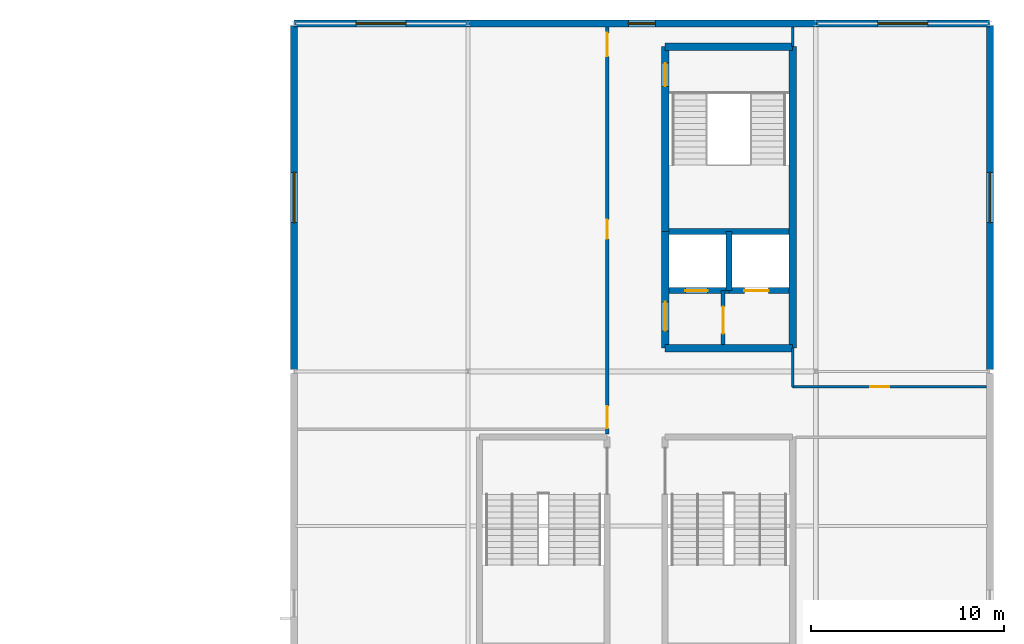
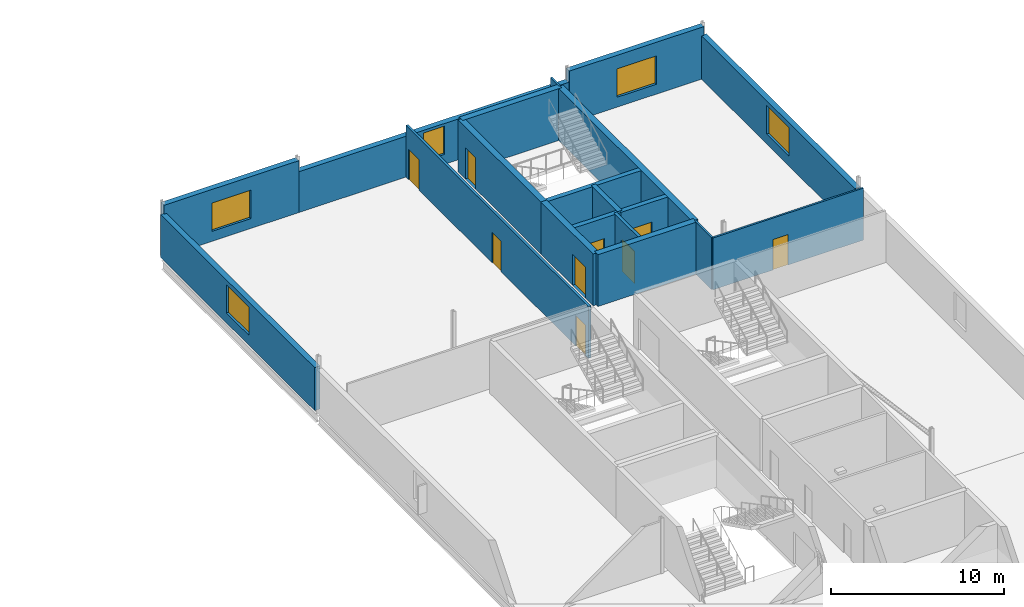
# One storey, part 24 of 35: 19 walls, 9 doors, 5 windows, 14 openings.
"""IFC4 building model written with IfcOpenShell, lengths in metres."""

from ifc_helpers import new_model, si_unit, direction, frame, frame_2d, origin, place, context, subcontext, project, spatial, rectangle, extrude, material, layer, layer_set, type_object, element, fill, save


model = new_model("IFC4")

# Units and contexts
model_context = context("Model", 3, precision=1e-05, world=origin(), true_north=direction((0.0, 1.0)))
body_context = subcontext(model_context, "Body", "Model", "MODEL_VIEW")
ifc_project = project(units=[si_unit("LENGTHUNIT", "METRE"), si_unit("AREAUNIT", "SQUARE_METRE"), si_unit("VOLUMEUNIT", "CUBIC_METRE"), si_unit("PLANEANGLEUNIT", "RADIAN"), si_unit("MASSUNIT", "GRAM", prefix="KILO")], contexts=[model_context])

# Site, building, storey
site_placement = place(None, origin())
site = spatial("IfcSite", under=ifc_project, at=site_placement, CompositionType="ELEMENT")
building_placement = place(site_placement, origin())
building = spatial("IfcBuilding", under=site, at=building_placement, Name="Kisiwana Market Hall", CompositionType="ELEMENT")
storey_placement = place(building_placement, frame((0.0, 0.0, 61.800048828125)))
storey = spatial("IfcBuildingStorey", under=building, at=storey_placement, Name="L14", CompositionType="ELEMENT", Elevation=61.800048828125)

# Wall, opening, door
ifc_material_1 = material(Name="Masonry blockwork", Category="masonry")
ifc_layer_1 = layer(ifc_material_1, 0.199951171875, Name="Plastered fire compartment block wall")
ifc_layer_set_1 = layer_set([ifc_layer_1], Name="WL-COMP-200")
wall_type_1 = type_object("IfcWallType", Name="WL-COMP-200", PredefinedType="PARTITIONING", material=ifc_layer_set_1)
wall_1_placement = place(storey_placement, frame((184.199951171875, 85.39990234375, 0.0), z_axis=(0.0, 0.0, 1.0), x_axis=(0.0, 1.0, 0.0)))
wall_1 = element("IfcWall", 1, at=wall_1_placement, inside=storey, type_object=wall_type_1, Name="Core E1 firefighting lobby wall W-3314", PredefinedType="PARTITIONING", context=body_context, shape_type="SweptSolid", body=[
    extrude(rectangle(XDim=2.780029296875, YDim=0.199951171875, at=frame_2d((1.39013671875, 0.0))), origin(), (0.0, 0.0, 1.0), 3.655029296875),
])
opening_1_placement = place(wall_1_placement, frame((0.550048828125, 0.0, 0.0)))
opening_1 = element("IfcOpeningElement", 2, at=opening_1_placement, cuts=wall_1, Name="Opening DR-L14-012", PredefinedType="OPENING", context=body_context, shape_type="SweptSolid", body=[
    extrude(rectangle(XDim=1.39990234375, YDim=2.25, at=frame_2d((0.699951171875, 1.125))), frame((0.0, 0.11181640625, 0.0), z_axis=(0.0, -1.0, 0.0), x_axis=(1.0, 0.0, 0.0)), (0.0, 0.0, 1.0), 0.223876953125),
])
ifc_material_2 = material(Name="Steel S275", Category="steel")
door_type_1 = type_object("IfcDoorType", Name="DR-FFLOB-FD120-1400", OperationType="DOUBLE_DOOR_SINGLE_SWING", PredefinedType="DOOR", material=ifc_material_2)
door_1_placement = place(opening_1_placement, origin())
door_1 = element("IfcDoor", 3, at=door_1_placement, inside=storey, type_object=door_type_1, Name="Firefighting Lift Lobby E1 Door (L14)", OperationType="DOUBLE_DOOR_SINGLE_SWING", OverallHeight=2.25, OverallWidth=1.39990234375, PredefinedType="DOOR", context=body_context, shape_type="SweptSolid", body=[
    extrude(rectangle(XDim=1.39990234375, YDim=2.25, at=frame_2d((0.699951171875, 1.125))), frame((0.0, 0.02490234375, 0.0), z_axis=(0.0, -1.0, 0.0), x_axis=(1.0, 0.0, 0.0)), (0.0, 0.0, 1.0), 0.050048828125),
])
fill(opening_1, door_1)

# Walls
ifc_material_3 = material(Name="Concrete C40/50", Category="concrete")
ifc_layer_2 = layer(ifc_material_3, 0.320068359375, Name="Reinforced concrete shaft wall")
ifc_layer_set_2 = layer_set([ifc_layer_2], Name="WL-CORE-320")
wall_type_2 = type_object("IfcWallType", Name="WL-CORE-320", PredefinedType="SHEAR", material=ifc_layer_set_2)
wall_2_placement = place(storey_placement, frame((181.39990234375, 91.239990234375, 0.0), z_axis=(0.0, 0.0, 1.0), x_axis=(1.0, 0.0, 0.0)))
element("IfcWall", 4, at=wall_2_placement, inside=storey, type_object=wall_type_2, Name="Core E1 shaft back shear wall W-3231", PredefinedType="SHEAR", context=body_context, shape_type="SweptSolid", body=[
    extrude(rectangle(XDim=6.2001953125, YDim=0.320068359375, at=frame_2d((3.10009765625, 0.0))), origin(), (0.0, 0.0, 1.0), 3.655029296875),
])
wall_3_placement = place(storey_placement, frame((184.5, 88.179931640625, 0.0), z_axis=(0.0, 0.0, 1.0), x_axis=(0.0, 1.0, 0.0)))
element("IfcWall", 5, at=wall_3_placement, inside=storey, type_object=wall_type_2, Name="Core E1 inter-shaft shear wall W-3232", PredefinedType="SHEAR", context=body_context, shape_type="SweptSolid", body=[
    extrude(rectangle(XDim=3.06005859375, YDim=0.320068359375, at=frame_2d((1.530029296875, 0.0))), origin(), (0.0, 0.0, 1.0), 3.655029296875),
])

# Wall, opening, door
wall_4_placement = place(storey_placement, frame((181.39990234375, 88.179931640625, 0.0), z_axis=(0.0, 0.0, 1.0), x_axis=(1.0, 0.0, 0.0)))
wall_4 = element("IfcWall", 6, at=wall_4_placement, inside=storey, type_object=wall_type_2, Name="Core E1 west lift front wall W-3233", PredefinedType="SHEAR", context=body_context, shape_type="SweptSolid", body=[
    extrude(rectangle(XDim=3.10009765625, YDim=0.320068359375, at=frame_2d((1.550048828125, 0.0))), origin(), (0.0, 0.0, 1.0), 3.655029296875),
])
opening_2_placement = place(wall_4_placement, frame((0.85009765625, 0.0, 0.0)))
opening_2 = element("IfcOpeningElement", 7, at=opening_2_placement, cuts=wall_4, Name="Opening LD-L14-007", PredefinedType="OPENING", context=body_context, shape_type="SweptSolid", body=[
    extrude(rectangle(XDim=1.14990234375, YDim=2.199951171875, at=frame_2d((0.574951171875, 1.10009765625))), frame((0.0, 0.171875, 0.0), z_axis=(0.0, -1.0, 0.0), x_axis=(1.0, 0.0, 0.0)), (0.0, 0.0, 1.0), 0.343994140625),
])
ifc_material_4 = material(Name="Steel S275", Category="steel")
door_type_2 = type_object("IfcDoorType", Name="DR-LIFT-PAX-1150", OperationType="DOUBLE_DOOR_SLIDING", PredefinedType="DOOR", material=ifc_material_4)
door_2_placement = place(opening_2_placement, origin())
door_2 = element("IfcDoor", 8, at=door_2_placement, inside=storey, type_object=door_type_2, Name="Lift Landing Door LP-04 (L14)", OperationType="DOUBLE_DOOR_SLIDING", OverallHeight=2.199951171875, OverallWidth=1.14990234375, PredefinedType="DOOR", context=body_context, shape_type="SweptSolid", body=[
    extrude(rectangle(XDim=1.14990234375, YDim=2.199951171875, at=frame_2d((0.574951171875, 1.10009765625))), frame((0.0, 0.02490234375, 0.0), z_axis=(0.0, -1.0, 0.0), x_axis=(1.0, 0.0, 0.0)), (0.0, 0.0, 1.0), 0.050048828125),
])
fill(opening_2, door_2)

wall_5_placement = place(storey_placement, frame((184.5, 88.179931640625, 0.0), z_axis=(0.0, 0.0, 1.0), x_axis=(1.0, 0.0, 0.0)))
wall_5 = element("IfcWall", 9, at=wall_5_placement, inside=storey, type_object=wall_type_2, Name="Core E1 east lift front wall W-3234", PredefinedType="SHEAR", context=body_context, shape_type="SweptSolid", body=[
    extrude(rectangle(XDim=3.10009765625, YDim=0.320068359375, at=frame_2d((1.550048828125, 0.0))), origin(), (0.0, 0.0, 1.0), 3.655029296875),
])
opening_3_placement = place(wall_5_placement, frame((0.800048828125, 0.0, 0.0)))
opening_3 = element("IfcOpeningElement", 10, at=opening_3_placement, cuts=wall_5, Name="Opening LD-L14-008", PredefinedType="OPENING", context=body_context, shape_type="SweptSolid", body=[
    extrude(rectangle(XDim=1.25, YDim=2.25, at=frame_2d((0.625, 1.125))), frame((0.0, 0.171875, 0.0), z_axis=(0.0, -1.0, 0.0), x_axis=(1.0, 0.0, 0.0)), (0.0, 0.0, 1.0), 0.343994140625),
])
ifc_material_5 = material(Name="Steel S275", Category="steel")
door_type_3 = type_object("IfcDoorType", Name="DR-LIFT-FFL-1250", OperationType="DOUBLE_DOOR_SLIDING", PredefinedType="DOOR", material=ifc_material_5)
door_3_placement = place(opening_3_placement, origin())
door_3 = element("IfcDoor", 11, at=door_3_placement, inside=storey, type_object=door_type_3, Name="Lift Landing Door FFL-04 (L14)", OperationType="DOUBLE_DOOR_SLIDING", OverallHeight=2.25, OverallWidth=1.25, PredefinedType="DOOR", context=body_context, shape_type="SweptSolid", body=[
    extrude(rectangle(XDim=1.25, YDim=2.25, at=frame_2d((0.625, 1.125))), frame((0.0, 0.02490234375, 0.0), z_axis=(0.0, -1.0, 0.0), x_axis=(1.0, 0.0, 0.0)), (0.0, 0.0, 1.0), 0.050048828125),
])
fill(opening_3, door_3)

# Walls
ifc_material_6 = material(Name="Concrete C40/50", Category="concrete")
ifc_layer_3 = layer(ifc_material_6, 0.39990234375, Name="Reinforced concrete core wall")
ifc_layer_set_3 = layer_set([ifc_layer_3], Name="WL-CORE-400")
wall_type_3 = type_object("IfcWallType", Name="WL-CORE-400", PredefinedType="SHEAR", material=ifc_layer_set_3)
for number, where, z_axis, x_axis, name in (
    (12, (181.199951171875, 85.199951171875, 0.0), (0.0, 0.0, 1.0), (1.0, 0.0, 0.0), "Core E1 south shear wall W-3226"),
    (13, (181.199951171875, 100.800048828125, 0.0), (0.0, 0.0, 1.0), (1.0, 0.0, 0.0), "Core E1 north shear wall W-3227"),
):
    element("IfcWall", number, at=place(storey_placement, frame(where, z_axis=z_axis, x_axis=x_axis)), inside=storey, type_object=wall_type_3, Name=name, PredefinedType="SHEAR", context=body_context, shape_type="SweptSolid", body=[
        extrude(rectangle(XDim=6.60009765625, YDim=0.39990234375, at=frame_2d((3.300048828125, 0.0))), origin(), (0.0, 0.0, 1.0), 3.655029296875),
    ])
wall_6_placement = place(storey_placement, frame((187.800048828125, 85.199951171875, 0.0), z_axis=(0.0, 0.0, 1.0), x_axis=(0.0, 1.0, 0.0)))
element("IfcWall", 14, at=wall_6_placement, inside=storey, type_object=wall_type_3, Name="Core E1 outer shear wall W-3228", PredefinedType="SHEAR", context=body_context, shape_type="SweptSolid", body=[
    extrude(rectangle(XDim=15.60009765625, YDim=0.39990234375, at=frame_2d((7.800048828125, 0.0))), origin(), (0.0, 0.0, 1.0), 3.655029296875),
])

# Wall, opening, door
wall_7_placement = place(storey_placement, frame((181.199951171875, 85.199951171875, 0.0), z_axis=(0.0, 0.0, 1.0), x_axis=(0.0, 1.0, 0.0)))
wall_7 = element("IfcWall", 15, at=wall_7_placement, inside=storey, type_object=wall_type_3, Name="Core E1 lobby corridor shear wall W-3229", PredefinedType="SHEAR", context=body_context, shape_type="SweptSolid", body=[
    extrude(rectangle(XDim=6.0400390625, YDim=0.39990234375, at=frame_2d((3.02001953125, 0.0))), origin(), (0.0, 0.0, 1.0), 3.655029296875),
])
opening_4_placement = place(wall_7_placement, frame((0.89990234375, 0.0, 0.0)))
opening_4 = element("IfcOpeningElement", 16, at=opening_4_placement, cuts=wall_7, Name="Opening DR-L14-010", PredefinedType="OPENING", context=body_context, shape_type="SweptSolid", body=[
    extrude(rectangle(XDim=1.5, YDim=2.199951171875, at=frame_2d((0.75, 1.10009765625))), frame((0.0, 0.2119140625, 0.0), z_axis=(0.0, -1.0, 0.0), x_axis=(1.0, 0.0, 0.0)), (0.0, 0.0, 1.0), 0.423828125),
])
ifc_material_7 = material(Name="Steel S275", Category="steel")
door_type_4 = type_object("IfcDoorType", Name="DR-CORR-FD60-1500", OperationType="DOUBLE_DOOR_SINGLE_SWING", PredefinedType="DOOR", material=ifc_material_7)
door_4_placement = place(opening_4_placement, origin())
door_4 = element("IfcDoor", 17, at=door_4_placement, inside=storey, type_object=door_type_4, Name="Passenger Lift Lobby E1 Smoke Door (L14)", OperationType="DOUBLE_DOOR_SINGLE_SWING", OverallHeight=2.199951171875, OverallWidth=1.5, PredefinedType="DOOR", context=body_context, shape_type="SweptSolid", body=[
    extrude(rectangle(XDim=1.5, YDim=2.199951171875, at=frame_2d((0.75, 1.10009765625))), frame((0.0, 0.02490234375, 0.0), z_axis=(0.0, -1.0, 0.0), x_axis=(1.0, 0.0, 0.0)), (0.0, 0.0, 1.0), 0.050048828125),
])
fill(opening_4, door_4)

wall_8_placement = place(storey_placement, frame((181.199951171875, 91.239990234375, 0.0), z_axis=(0.0, 0.0, 1.0), x_axis=(0.0, 1.0, 0.0)))
wall_8 = element("IfcWall", 18, at=wall_8_placement, inside=storey, type_object=wall_type_3, Name="Core E1 stair corridor shear wall W-3230", PredefinedType="SHEAR", context=body_context, shape_type="SweptSolid", body=[
    extrude(rectangle(XDim=9.56005859375, YDim=0.39990234375, at=frame_2d((4.780029296875, 0.0))), origin(), (0.0, 0.0, 1.0), 3.655029296875),
])
opening_5_placement = place(wall_8_placement, frame((7.510009765625, 0.0, 0.0)))
opening_5 = element("IfcOpeningElement", 19, at=opening_5_placement, cuts=wall_8, Name="Opening DR-L14-011", PredefinedType="OPENING", context=body_context, shape_type="SweptSolid", body=[
    extrude(rectangle(XDim=1.199951171875, YDim=2.199951171875, at=frame_2d((0.60009765625, 1.10009765625))), frame((0.0, 0.2119140625, 0.0), z_axis=(0.0, -1.0, 0.0), x_axis=(1.0, 0.0, 0.0)), (0.0, 0.0, 1.0), 0.423828125),
])
ifc_material_8 = material(Name="Steel S275", Category="steel")
door_type_5 = type_object("IfcDoorType", Name="DR-STAIR-FD120-1200", OperationType="NOTDEFINED", PredefinedType="DOOR", material=ifc_material_8)
door_5_placement = place(opening_5_placement, frame((1.199951171875, 0.0, 0.0), z_axis=(0.0, 0.0, 1.0), x_axis=(-1.0, 0.0, 0.0)))
door_5 = element("IfcDoor", 20, at=door_5_placement, inside=storey, type_object=door_type_5, Name="Escape Stair E1 Fire Door (L14)", OperationType="SINGLE_SWING_LEFT", OverallHeight=2.199951171875, OverallWidth=1.199951171875, PredefinedType="DOOR", context=body_context, shape_type="SweptSolid", body=[
    extrude(rectangle(XDim=1.199951171875, YDim=2.199951171875, at=frame_2d((0.60009765625, 1.10009765625))), frame((0.0, 0.02490234375, 0.0), z_axis=(0.0, -1.0, 0.0), x_axis=(1.0, 0.0, 0.0)), (0.0, 0.0, 1.0), 0.050048828125),
])
fill(opening_5, door_5)

# Wall, openings, doors
ifc_material_9 = material(Name="Masonry blockwork", Category="masonry")
ifc_layer_4 = layer(ifc_material_9, 0.169921875, Name="Protected corridor partition")
ifc_layer_set_4 = layer_set([ifc_layer_4], Name="WL-CORR-170")
wall_type_4 = type_object("IfcWallType", Name="WL-CORR-170", PredefinedType="PARTITIONING", material=ifc_layer_set_4)
wall_9_placement = place(storey_placement, frame((178.199951171875, 80.760009765625, 0.0), z_axis=(0.0, 0.0, 1.0), x_axis=(0.0, 1.0, 0.0)))
wall_9 = element("IfcWall", 21, at=wall_9_placement, inside=storey, type_object=wall_type_4, Name="Interior partition W-3348", PredefinedType="PARTITIONING", context=body_context, shape_type="SweptSolid", body=[
    extrude(rectangle(XDim=21.057373046875, YDim=0.169921875, at=frame_2d((10.52880859375, 0.0))), origin(), (0.0, 0.0, 1.0), 3.655029296875),
])
opening_6_placement = place(wall_9_placement, frame((10.10009765625, 0.0, 0.0)))
opening_6 = element("IfcOpeningElement", 22, at=opening_6_placement, cuts=wall_9, Name="Opening DR-L14-048", PredefinedType="OPENING", context=body_context, shape_type="SweptSolid", body=[
    extrude(rectangle(XDim=1.0, YDim=2.14990234375, at=frame_2d((0.5, 1.074951171875))), frame((0.0, 0.096923828125, 0.0), z_axis=(0.0, -1.0, 0.0), x_axis=(1.0, 0.0, 0.0)), (0.0, 0.0, 1.0), 0.19384765625),
])
opening_7_placement = place(wall_9_placement, frame((0.300048828125, 0.0, 0.0)))
opening_7 = element("IfcOpeningElement", 23, at=opening_7_placement, cuts=wall_9, Name="Opening DR-L14-049", PredefinedType="OPENING", context=body_context, shape_type="SweptSolid", body=[
    extrude(rectangle(XDim=1.14990234375, YDim=2.14990234375, at=frame_2d((0.574951171875, 1.074951171875))), frame((0.0, 0.096923828125, 0.0), z_axis=(0.0, -1.0, 0.0), x_axis=(1.0, 0.0, 0.0)), (0.0, 0.0, 1.0), 0.19384765625),
])
opening_8_placement = place(wall_9_placement, frame((19.5380859375, 0.0, 0.0)))
opening_8 = element("IfcOpeningElement", 24, at=opening_8_placement, cuts=wall_9, Name="Opening DR-L14-050", PredefinedType="OPENING", context=body_context, shape_type="SweptSolid", body=[
    extrude(rectangle(XDim=1.219970703125, YDim=2.14990234375, at=frame_2d((0.60986328125, 1.074951171875))), frame((0.0, 0.096923828125, 0.0), z_axis=(0.0, -1.0, 0.0), x_axis=(1.0, 0.0, 0.0)), (0.0, 0.0, 1.0), 0.19384765625),
])
ifc_material_10 = material(Name="Aluminium alloy 6063-T6", Category="aluminium")
door_type_6 = type_object("IfcDoorType", Name="DR-MEET-1150", OperationType="NOTDEFINED", PredefinedType="DOOR", material=ifc_material_10)
door_6_placement = place(opening_7_placement, origin())
door_6 = element("IfcDoor", 25, at=door_6_placement, inside=storey, type_object=door_type_6, Name="L14 E Director Boardroom C2 Door", OperationType="SINGLE_SWING_LEFT", OverallHeight=2.14990234375, OverallWidth=1.14990234375, PredefinedType="DOOR", context=body_context, shape_type="SweptSolid", body=[
    extrude(rectangle(XDim=1.14990234375, YDim=2.14990234375, at=frame_2d((0.574951171875, 1.074951171875))), frame((0.0, 0.02490234375, 0.0), z_axis=(0.0, -1.0, 0.0), x_axis=(1.0, 0.0, 0.0)), (0.0, 0.0, 1.0), 0.050048828125),
])
fill(opening_7, door_6)
ifc_material_11 = material(Name="Aluminium alloy 6063-T6", Category="aluminium")
door_type_7 = type_object("IfcDoorType", Name="DR-OFF-1000", OperationType="NOTDEFINED", PredefinedType="DOOR", material=ifc_material_11)
door_7_placement = place(opening_6_placement, origin())
door_7 = element("IfcDoor", 26, at=door_7_placement, inside=storey, type_object=door_type_7, Name="L14 E Executive Corner Suite C4 Door", OperationType="SINGLE_SWING_LEFT", OverallHeight=2.14990234375, OverallWidth=1.0, PredefinedType="DOOR", context=body_context, shape_type="SweptSolid", body=[
    extrude(rectangle(XDim=1.0, YDim=2.14990234375, at=frame_2d((0.5, 1.074951171875))), frame((0.0, 0.02490234375, 0.0), z_axis=(0.0, -1.0, 0.0), x_axis=(1.0, 0.0, 0.0)), (0.0, 0.0, 1.0), 0.050048828125),
])
fill(opening_6, door_7)
ifc_material_12 = material(Name="Hardwood timber", Category="wood")
door_type_8 = type_object("IfcDoorType", Name="DR-STOR-FD60-1220", OperationType="NOTDEFINED", PredefinedType="DOOR", material=ifc_material_12)
door_8_placement = place(opening_8_placement, origin())
door_8 = element("IfcDoor", 27, at=door_8_placement, inside=storey, type_object=door_type_8, Name="L14 E Legal Advisory Suite C3 Door", OperationType="SINGLE_SWING_RIGHT", OverallHeight=2.14990234375, OverallWidth=1.219970703125, PredefinedType="DOOR", context=body_context, shape_type="SweptSolid", body=[
    extrude(rectangle(XDim=1.219970703125, YDim=2.14990234375, at=frame_2d((0.60986328125, 1.074951171875))), frame((0.0, 0.02490234375, 0.0), z_axis=(0.0, -1.0, 0.0), x_axis=(1.0, 0.0, 0.0)), (0.0, 0.0, 1.0), 0.050048828125),
])
fill(opening_8, door_8)

# Wall, opening, window
ifc_material_13 = material(Name="Concrete C40/50 precast", Category="concrete")
ifc_layer_5 = layer(ifc_material_13, 0.364990234375)
ifc_layer_set_5 = layer_set([ifc_layer_5], Name="WL-EXT-365")
wall_type_5 = type_object("IfcWallType", Name="WL-EXT-365", PredefinedType="STANDARD", material=ifc_layer_set_5)
wall_10_placement = place(storey_placement, frame((162.010009765625, 102.0, 0.0), z_axis=(0.0, 0.0, 1.0), x_axis=(1.0, 0.0, 0.0)))
wall_10 = element("IfcWall", 28, at=wall_10_placement, inside=storey, type_object=wall_type_5, Name="Exterior wall W-3292", PredefinedType="STANDARD", context=body_context, shape_type="SweptSolid", body=[
    extrude(rectangle(XDim=8.97998046875, YDim=0.364990234375, at=frame_2d((4.489990234375, 0.0))), origin(), (0.0, 0.0, 1.0), 3.655029296875),
])
opening_9_placement = place(wall_10_placement, frame((3.18994140625, 0.0, 0.699951171875)))
opening_9 = element("IfcOpeningElement", 29, at=opening_9_placement, cuts=wall_10, Name="Opening WN-13", PredefinedType="OPENING", context=body_context, shape_type="SweptSolid", body=[
    extrude(rectangle(XDim=2.60009765625, YDim=2.0, at=frame_2d((1.300048828125, 1.0))), frame((0.0, 0.1943359375, 0.0), z_axis=(0.0, -1.0, 0.0), x_axis=(1.0, 0.0, 0.0)), (0.0, 0.0, 1.0), 0.388916015625),
])
ifc_material_14 = material(Name="Double-glazed solar-control low-E IGU", Category="glass")
window_type_1 = type_object("IfcWindowType", Name="WN-OFFC-2600x2000", PartitioningType="SINGLE_PANEL", PredefinedType="WINDOW", material=ifc_material_14)
window_1_placement = place(opening_9_placement, origin())
window_1 = element("IfcWindow", 30, at=window_1_placement, inside=storey, type_object=window_type_1, Name="Exterior window WN-400", OverallHeight=2.0, OverallWidth=2.60009765625, PartitioningType="SINGLE_PANEL", PredefinedType="WINDOW", context=body_context, shape_type="SweptSolid", body=[
    extrude(rectangle(XDim=2.60009765625, YDim=2.0, at=frame_2d((1.300048828125, 1.0))), frame((0.0, 0.030029296875, 0.0), z_axis=(0.0, -1.0, 0.0), x_axis=(1.0, 0.0, 0.0)), (0.0, 0.0, 1.0), 0.06005859375),
])
fill(opening_9, window_1)

wall_11_placement = place(storey_placement, frame((171.010009765625, 102.0, 0.0), z_axis=(0.0, 0.0, 1.0), x_axis=(1.0, 0.0, 0.0)))
wall_11 = element("IfcWall", 31, at=wall_11_placement, inside=storey, type_object=wall_type_5, Name="Exterior wall W-3293", PredefinedType="STANDARD", context=body_context, shape_type="SweptSolid", body=[
    extrude(rectangle(XDim=17.97998046875, YDim=0.364990234375, at=frame_2d((8.989990234375, 0.0))), origin(), (0.0, 0.0, 1.0), 2.879638671875),
])
opening_10_placement = place(wall_11_placement, frame((8.2900390625, 0.0, 0.699951171875)))
opening_10 = element("IfcOpeningElement", 32, at=opening_10_placement, cuts=wall_11, Name="Opening WN-05", PredefinedType="OPENING", context=body_context, shape_type="SweptSolid", body=[
    extrude(rectangle(XDim=1.39990234375, YDim=2.0, at=frame_2d((0.699951171875, 1.0))), frame((0.0, 0.1943359375, 0.0), z_axis=(0.0, -1.0, 0.0), x_axis=(1.0, 0.0, 0.0)), (0.0, 0.0, 1.0), 0.388916015625),
])
ifc_material_15 = material(Name="Double-glazed solar-control low-E IGU", Category="glass")
window_type_2 = type_object("IfcWindowType", Name="WN-OFFC-1400x2000", PartitioningType="SINGLE_PANEL", PredefinedType="WINDOW", material=ifc_material_15)
window_2_placement = place(opening_10_placement, origin())
window_2 = element("IfcWindow", 33, at=window_2_placement, inside=storey, type_object=window_type_2, Name="Exterior window WN-385", OverallHeight=2.0, OverallWidth=1.39990234375, PartitioningType="SINGLE_PANEL", PredefinedType="WINDOW", context=body_context, shape_type="SweptSolid", body=[
    extrude(rectangle(XDim=1.39990234375, YDim=2.0, at=frame_2d((0.699951171875, 1.0))), frame((0.0, 0.030029296875, 0.0), z_axis=(0.0, -1.0, 0.0), x_axis=(1.0, 0.0, 0.0)), (0.0, 0.0, 1.0), 0.06005859375),
])
fill(opening_10, window_2)

wall_12_placement = place(storey_placement, frame((189.010009765625, 102.0, 0.0), z_axis=(0.0, 0.0, 1.0), x_axis=(1.0, 0.0, 0.0)))
wall_12 = element("IfcWall", 34, at=wall_12_placement, inside=storey, type_object=wall_type_5, Name="Exterior wall W-3294", PredefinedType="STANDARD", context=body_context, shape_type="SweptSolid", body=[
    extrude(rectangle(XDim=8.97998046875, YDim=0.364990234375, at=frame_2d((4.489990234375, 0.0))), origin(), (0.0, 0.0, 1.0), 3.655029296875),
])
opening_11_placement = place(wall_12_placement, frame((3.18994140625, 0.0, 0.699951171875)))
opening_11 = element("IfcOpeningElement", 35, at=opening_11_placement, cuts=wall_12, Name="Opening WN-13", PredefinedType="OPENING", context=body_context, shape_type="SweptSolid", body=[
    extrude(rectangle(XDim=2.60009765625, YDim=2.0, at=frame_2d((1.300048828125, 1.0))), frame((0.0, 0.1943359375, 0.0), z_axis=(0.0, -1.0, 0.0), x_axis=(1.0, 0.0, 0.0)), (0.0, 0.0, 1.0), 0.388916015625),
])
window_3_placement = place(opening_11_placement, origin())
window_3 = element("IfcWindow", 36, at=window_3_placement, inside=storey, type_object=window_type_1, Name="Exterior window WN-401", OverallHeight=2.0, OverallWidth=2.60009765625, PartitioningType="SINGLE_PANEL", PredefinedType="WINDOW", context=body_context, shape_type="SweptSolid", body=[
    extrude(rectangle(XDim=2.60009765625, YDim=2.0, at=frame_2d((1.300048828125, 1.0))), frame((0.0, 0.030029296875, 0.0), z_axis=(0.0, -1.0, 0.0), x_axis=(1.0, 0.0, 0.0)), (0.0, 0.0, 1.0), 0.06005859375),
])
fill(opening_11, window_3)

wall_13_placement = place(storey_placement, frame((162.0, 84.107666015625, 0.0), z_axis=(0.0, 0.0, 1.0), x_axis=(0.0, 1.0, 0.0)))
wall_13 = element("IfcWall", 37, at=wall_13_placement, inside=storey, type_object=wall_type_5, Name="Exterior wall W-3306", PredefinedType="STANDARD", context=body_context, shape_type="SweptSolid", body=[
    extrude(rectangle(XDim=17.78466796875, YDim=0.364990234375, at=frame_2d((8.892333984375, 0.0))), origin(), (0.0, 0.0, 1.0), 3.02978515625),
])
opening_12_placement = place(wall_13_placement, frame((7.59228515625, 0.0, 0.699951171875)))
opening_12 = element("IfcOpeningElement", 38, at=opening_12_placement, cuts=wall_13, Name="Opening WN-13", PredefinedType="OPENING", context=body_context, shape_type="SweptSolid", body=[
    extrude(rectangle(XDim=2.60009765625, YDim=2.0, at=frame_2d((1.300048828125, 1.0))), frame((0.0, 0.1943359375, 0.0), z_axis=(0.0, -1.0, 0.0), x_axis=(1.0, 0.0, 0.0)), (0.0, 0.0, 1.0), 0.388916015625),
])
window_4_placement = place(opening_12_placement, origin())
window_4 = element("IfcWindow", 39, at=window_4_placement, inside=storey, type_object=window_type_1, Name="Exterior window WN-407", OverallHeight=2.0, OverallWidth=2.60009765625, PartitioningType="SINGLE_PANEL", PredefinedType="WINDOW", context=body_context, shape_type="SweptSolid", body=[
    extrude(rectangle(XDim=2.60009765625, YDim=2.0, at=frame_2d((1.300048828125, 1.0))), frame((0.0, 0.030029296875, 0.0), z_axis=(0.0, -1.0, 0.0), x_axis=(1.0, 0.0, 0.0)), (0.0, 0.0, 1.0), 0.06005859375),
])
fill(opening_12, window_4)

wall_14_placement = place(storey_placement, frame((198.0, 84.107666015625, 0.0), z_axis=(0.0, 0.0, 1.0), x_axis=(0.0, 1.0, 0.0)))
wall_14 = element("IfcWall", 40, at=wall_14_placement, inside=storey, type_object=wall_type_5, Name="Exterior wall W-3310", PredefinedType="STANDARD", context=body_context, shape_type="SweptSolid", body=[
    extrude(rectangle(XDim=17.78466796875, YDim=0.364990234375, at=frame_2d((8.892333984375, 0.0))), origin(), (0.0, 0.0, 1.0), 3.042724609375),
])
opening_13_placement = place(wall_14_placement, frame((7.59228515625, 0.0, 0.699951171875)))
opening_13 = element("IfcOpeningElement", 41, at=opening_13_placement, cuts=wall_14, Name="Opening WN-13", PredefinedType="OPENING", context=body_context, shape_type="SweptSolid", body=[
    extrude(rectangle(XDim=2.60009765625, YDim=2.0, at=frame_2d((1.300048828125, 1.0))), frame((0.0, 0.1943359375, 0.0), z_axis=(0.0, -1.0, 0.0), x_axis=(1.0, 0.0, 0.0)), (0.0, 0.0, 1.0), 0.388916015625),
])
window_5_placement = place(opening_13_placement, origin())
window_5 = element("IfcWindow", 42, at=window_5_placement, inside=storey, type_object=window_type_1, Name="Exterior window WN-409", OverallHeight=2.0, OverallWidth=2.60009765625, PartitioningType="SINGLE_PANEL", PredefinedType="WINDOW", context=body_context, shape_type="SweptSolid", body=[
    extrude(rectangle(XDim=2.60009765625, YDim=2.0, at=frame_2d((1.300048828125, 1.0))), frame((0.0, 0.030029296875, 0.0), z_axis=(0.0, -1.0, 0.0), x_axis=(1.0, 0.0, 0.0)), (0.0, 0.0, 1.0), 0.06005859375),
])
fill(opening_13, window_5)

# Walls
ifc_material_16 = material(Name="Gypsum plasterboard")
ifc_layer_6 = layer(ifc_material_16, 0.125, Name="Double gypsum board + acoustic stud")
ifc_layer_set_6 = layer_set([ifc_layer_6], Name="WL-OFF-125")
wall_type_6 = type_object("IfcWallType", Name="WL-OFF-125", PredefinedType="PARTITIONING", material=ifc_layer_set_6)
wall_15_placement = place(storey_placement, frame((187.800048828125, 83.199951171875, 0.0), z_axis=(0.0, 0.0, 1.0), x_axis=(0.0, 1.0, 0.0)))
element("IfcWall", 43, at=wall_15_placement, inside=storey, type_object=wall_type_6, Name="Interior partition W-3337", PredefinedType="PARTITIONING", context=body_context, shape_type="SweptSolid", body=[
    extrude(rectangle(XDim=2.0, YDim=0.125, at=frame_2d((1.0, 0.0))), origin(), (0.0, 0.0, 1.0), 3.655029296875),
])
wall_16_placement = place(storey_placement, frame((187.800048828125, 100.800048828125, 0.0), z_axis=(0.0, 0.0, 1.0), x_axis=(0.0, 1.0, 0.0)))
element("IfcWall", 44, at=wall_16_placement, inside=storey, type_object=wall_type_6, Name="Interior partition W-3339", PredefinedType="PARTITIONING", context=body_context, shape_type="SweptSolid", body=[
    extrude(rectangle(XDim=1.017333984375, YDim=0.125, at=frame_2d((0.5087890625, 0.0))), origin(), (0.0, 0.0, 1.0), 3.655029296875),
])

# Wall, opening, door
wall_17_placement = place(storey_placement, frame((187.800048828125, 83.199951171875, 0.0), z_axis=(0.0, 0.0, 1.0), x_axis=(1.0, 0.0, 0.0)))
wall_17 = element("IfcWall", 45, at=wall_17_placement, inside=storey, type_object=wall_type_6, Name="Interior partition W-3343", PredefinedType="PARTITIONING", context=body_context, shape_type="SweptSolid", body=[
    extrude(rectangle(XDim=10.017333984375, YDim=0.125, at=frame_2d((5.0087890625, 0.0))), origin(), (0.0, 0.0, 1.0), 3.655029296875),
])
opening_14_placement = place(wall_17_placement, frame((4.0, 0.0, 0.0)))
opening_14 = element("IfcOpeningElement", 46, at=opening_14_placement, cuts=wall_17, Name="Opening DR-L14-044", PredefinedType="OPENING", context=body_context, shape_type="SweptSolid", body=[
    extrude(rectangle(XDim=1.0, YDim=2.14990234375, at=frame_2d((0.5, 1.074951171875))), frame((0.0, 0.074462890625, 0.0), z_axis=(0.0, -1.0, 0.0), x_axis=(1.0, 0.0, 0.0)), (0.0, 0.0, 1.0), 0.14892578125),
])
door_9_placement = place(opening_14_placement, origin())
door_9 = element("IfcDoor", 47, at=door_9_placement, inside=storey, type_object=door_type_7, Name="L14 E Commercial Office North Door", OperationType="SINGLE_SWING_LEFT", OverallHeight=2.14990234375, OverallWidth=1.0, PredefinedType="DOOR", context=body_context, shape_type="SweptSolid", body=[
    extrude(rectangle(XDim=1.0, YDim=2.14990234375, at=frame_2d((0.5, 1.074951171875))), frame((0.0, 0.02490234375, 0.0), z_axis=(0.0, -1.0, 0.0), x_axis=(1.0, 0.0, 0.0)), (0.0, 0.0, 1.0), 0.050048828125),
])
fill(opening_14, door_9)

save(model, "model.ifc")
